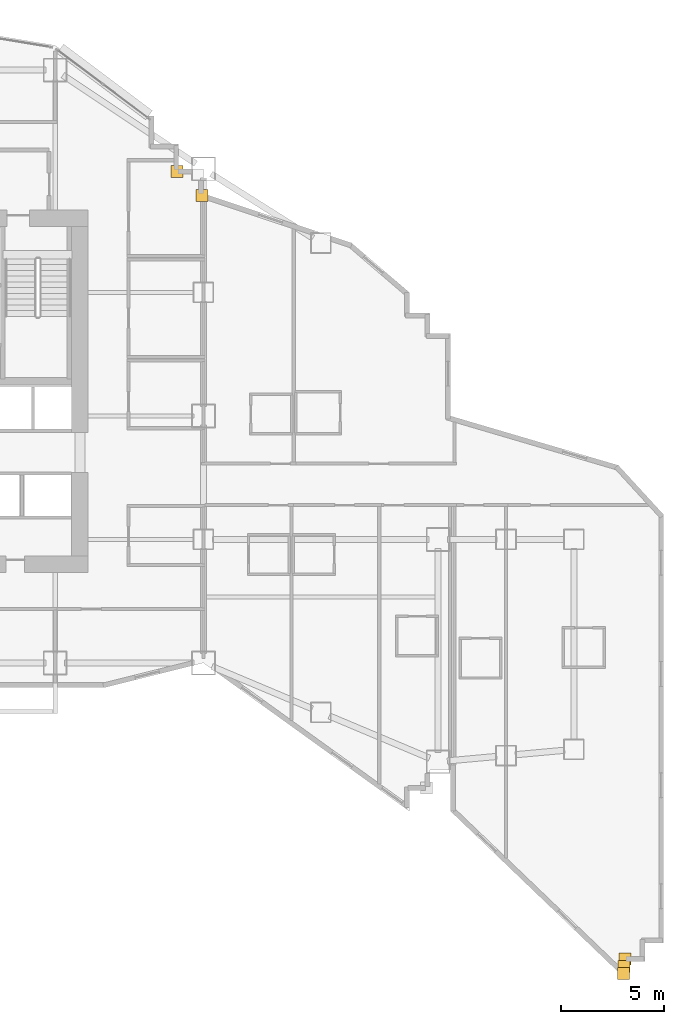
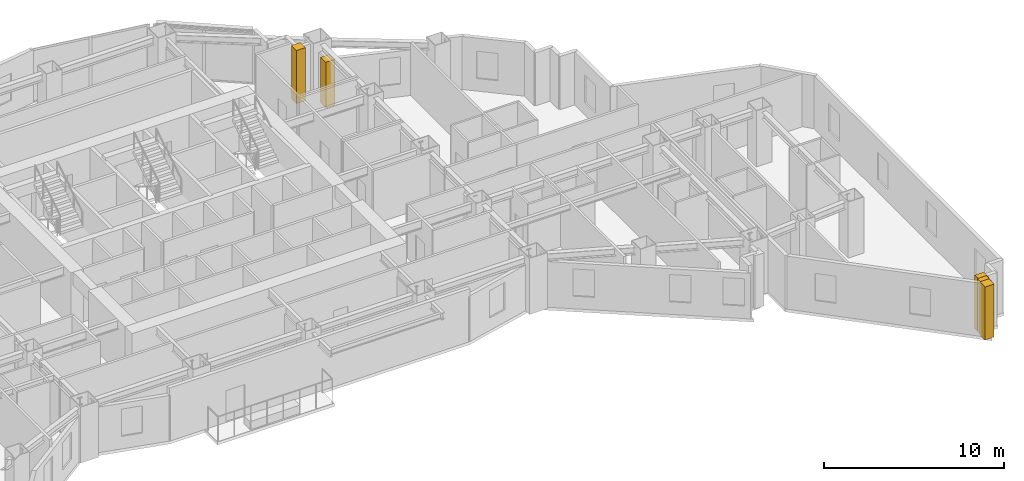
# One storey, part 17 of 17: 5 coverings.
"""IFC4 building model written with IfcOpenShell, lengths in metres."""

from ifc_helpers import new_model, si_unit, direction, frame, origin, origin_2d, place, context, subcontext, project, spatial, rectangle, extrude, material, layer, layer_set, type_object, element, save


model = new_model("IFC4")

# Units and contexts
model_context = context("Model", 3, precision=1e-05, world=origin(), true_north=direction((0.0, 1.0)))
body_context = subcontext(model_context, "Body", "Model", "MODEL_VIEW")
ifc_project = project(units=[si_unit("LENGTHUNIT", "METRE"), si_unit("AREAUNIT", "SQUARE_METRE"), si_unit("VOLUMEUNIT", "CUBIC_METRE"), si_unit("PLANEANGLEUNIT", "RADIAN"), si_unit("MASSUNIT", "GRAM", prefix="KILO")], contexts=[model_context])

# Site, building, storey
site_placement = place(None, origin())
site = spatial("IfcSite", under=ifc_project, at=site_placement, CompositionType="ELEMENT")
building_placement = place(site_placement, origin())
building = spatial("IfcBuilding", under=site, at=building_placement, Name="Haolan Belvedere Tower", CompositionType="ELEMENT")
storey_placement = place(building_placement, frame((0.0, 0.0, 55.199951171875)))
storey = spatial("IfcBuildingStorey", under=building, at=storey_placement, Name="L13", CompositionType="ELEMENT", Elevation=55.199951171875)

# Coverings
ifc_material = material(Name="Pale champagne-silver anodised aluminium rainscreen cladding", Category="aluminium")
ifc_layer = layer(ifc_material, 0.034912109375, Name="Pale champagne-silver anodised aluminium rainscreen cladding")
ifc_layer_set = layer_set([ifc_layer], Name="Pale champagne-silver anodised aluminium rainscreen cladding")
covering_type = type_object("IfcCoveringType", Name="COV-CLAD-35", PredefinedType="CLADDING", material=ifc_layer_set)
for number, where, z_axis, x_axis, name in (
    (1, (73.209228515625, 6.508544921875, 0.0), (0.0, 0.0, 1.0), (1.0, 0.0, 0.0), "L13 pale-metal serrated corner cladding trim 5"),
    (2, (73.239990234375, 6.8486328125, 0.0), (0.0, 0.0, 1.0), (1.0, 0.0, 0.0), "L13 pale-metal serrated corner cladding trim 6"),
    (3, (73.282470703125, 7.218017578125, 0.0), (0.0, 0.0, 1.0), (1.0, 0.0, 0.0), "L13 pale-metal serrated corner cladding trim 7"),
):
    element("IfcCovering", number, at=place(storey_placement, frame(where, z_axis=z_axis, x_axis=x_axis)), inside=storey, type_object=covering_type, Name=name, PredefinedType="CLADDING", context=body_context, shape_type="SweptSolid", body=[
        extrude(rectangle(XDim=0.580078125, YDim=0.580078125, at=origin_2d()), origin(), (0.0, 0.0, 1.0), 3.60009765625),
    ])
covering_1_placement = place(storey_placement, frame((52.72021484375, 44.300048828125, 0.0), z_axis=(0.0, 0.0, 1.0), x_axis=(1.0, 0.0, 0.0)))
element("IfcCovering", 4, at=covering_1_placement, inside=storey, type_object=covering_type, Name="L13 pale-metal serrated corner cladding trim 8", PredefinedType="CLADDING", context=body_context, shape_type="SweptSolid", body=[
    extrude(rectangle(XDim=0.580078125, YDim=0.580078125, at=origin_2d()), origin(), (0.0, 0.0, 1.0), 3.096923828125),
])
covering_2_placement = place(storey_placement, frame((51.5224609375, 45.47998046875, 0.0), z_axis=(0.0, 0.0, 1.0), x_axis=(1.0, 0.0, 0.0)))
element("IfcCovering", 5, at=covering_2_placement, inside=storey, type_object=covering_type, Name="L13 pale-metal serrated corner cladding trim 9", PredefinedType="CLADDING", context=body_context, shape_type="SweptSolid", body=[
    extrude(rectangle(XDim=0.580078125, YDim=0.580078125, at=origin_2d()), origin(), (0.0, 0.0, 1.0), 3.60009765625),
])

save(model, "model.ifc")
